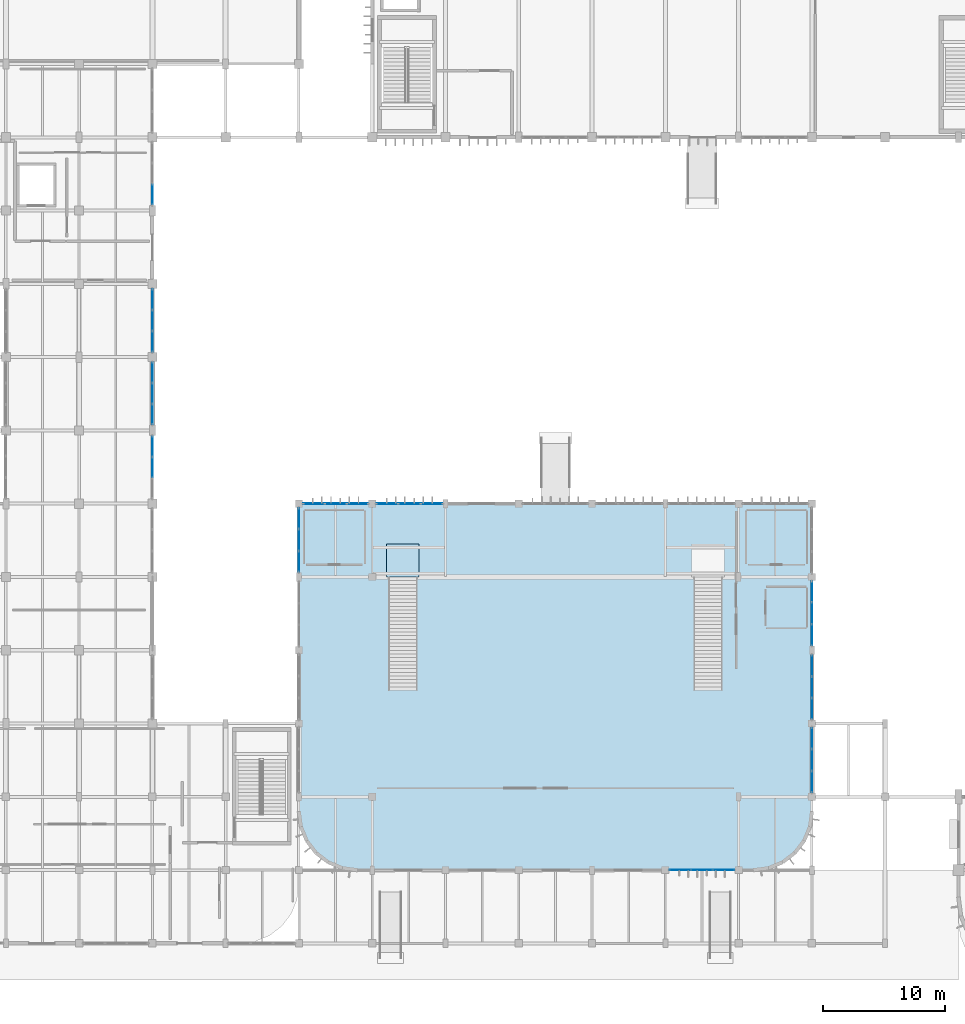
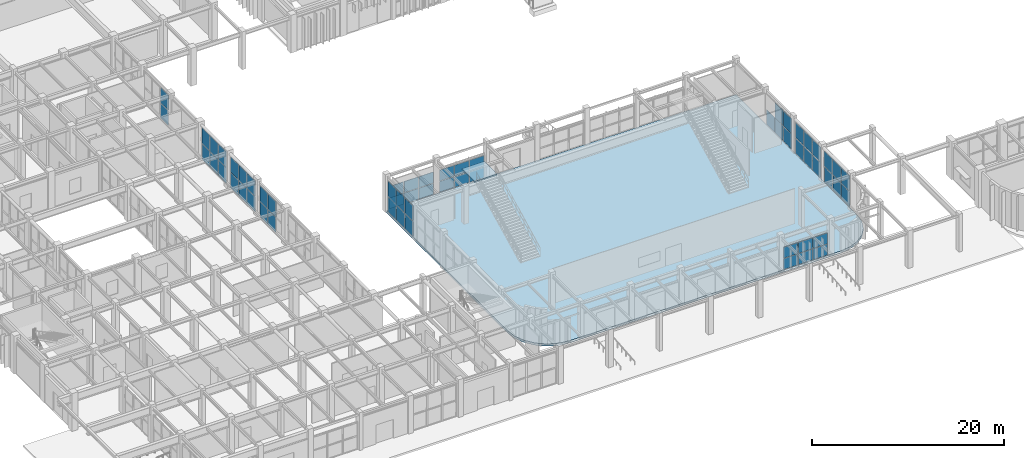
# One storey, part 35 of 76: 59 plates, 2 slabs, 12 elements without a shape of their own.
"""IFC4 building model written with IfcOpenShell, lengths in metres."""

import ifcopenshell
import ifcopenshell.guid

model = None  # the IFC model being written
_history = None  # IfcOwnerHistory: only IFC2X3 demands one
_inside = {}  # id of a spatial element -> (the spatial element, [elements in it])
_under = {}  # id of a project, library or spatial element -> (it, [spatial elements below it])
_declared = {}  # id of a project -> (the project, [libraries it declares])
_typed = {}  # id of a type object -> (the type object, [elements of that type])
_made_of = {}  # id of a material, layer set ... -> (it, [elements and type objects made of it])


def new_model(schema):
    """Start an empty IFC model of exactly this schema.

    Asked for "IFC4X3", IfcOpenShell would pick the latest addendum, in which some entities
    have other attributes; the version numbers below select the first issue.
    IFC2X3 requires an IfcOwnerHistory on every rooted entity: one is made here for all.
    """
    global model, _history
    if schema == "IFC4X3":
        model = ifcopenshell.file(schema_version=(4, 3, 0, 0))
    else:
        model = ifcopenshell.file(schema=schema)
    _inside.clear()
    _under.clear()
    _declared.clear()
    _typed.clear()
    _made_of.clear()
    _history = None
    if model.schema == "IFC2X3":
        org = make("IfcOrganization", Name="unknown")
        user = make(
            "IfcPersonAndOrganization",
            ThePerson=make("IfcPerson", FamilyName="unknown"),
            TheOrganization=org,
        )
        app = make(
            "IfcApplication",
            ApplicationDeveloper=org,
            Version="unknown",
            ApplicationFullName="unknown",
            ApplicationIdentifier="unknown",
        )
        _history = make(
            "IfcOwnerHistory",
            OwningUser=user,
            OwningApplication=app,
            ChangeAction="ADDED",
            CreationDate=0,
        )
    return model


def make(cls, **values):
    """One entity of the class cls with the attributes given. An attribute that is None is left unset."""
    return model.create_entity(
        cls, **{name: value for name, value in values.items() if value is not None}
    )


def rooted(cls, **values):
    """An entity with a GlobalId (a new one), such as an element, a storey or a relation."""
    return make(cls, GlobalId=ifcopenshell.guid.new(), OwnerHistory=_history, **values)


def si_unit(unit_type, name, prefix=None):
    """IfcSIUnit, for example si_unit("LENGTHUNIT", "METRE", prefix="MILLI")."""
    return make("IfcSIUnit", UnitType=unit_type, Prefix=prefix, Name=name)


def assignment(units):
    """IfcUnitAssignment: the units of a project."""
    return None if units is None else make("IfcUnitAssignment", Units=units)


def point(xyz):
    """IfcCartesianPoint."""
    return None if xyz is None else make("IfcCartesianPoint", Coordinates=xyz)


def direction(xyz):
    """IfcDirection."""
    return None if xyz is None else make("IfcDirection", DirectionRatios=xyz)


def frame(location, z_axis=None, x_axis=None):
    """IfcAxis2Placement3D, a coordinate frame: its origin and axes. An axis left out is left unset."""
    return make(
        "IfcAxis2Placement3D",
        Location=point(location),
        Axis=direction(z_axis),
        RefDirection=direction(x_axis),
    )


def frame_2d(location, x_axis=None):
    """IfcAxis2Placement2D, a coordinate frame in the plane: its origin and x axis."""
    return make(
        "IfcAxis2Placement2D", Location=point(location), RefDirection=direction(x_axis)
    )


def origin():
    """The frame at (0, 0, 0) with its axes left unset."""
    return frame((0.0, 0.0, 0.0))


def origin_2d():
    """The frame at (0, 0) in the plane with its x axis left unset."""
    return frame_2d((0.0, 0.0))


def place(relative_to, where):
    """IfcLocalPlacement: puts the frame where relative to a parent placement (None: the world)."""
    return make(
        "IfcLocalPlacement", PlacementRelTo=relative_to, RelativePlacement=where
    )


def context(
    kind, dimensions, precision=None, world=None, true_north=None, identifier=None
):
    """IfcGeometricRepresentationContext, for example the 3D "Model" context."""
    return make(
        "IfcGeometricRepresentationContext",
        ContextIdentifier=identifier,
        ContextType=kind,
        CoordinateSpaceDimension=dimensions,
        Precision=precision,
        WorldCoordinateSystem=world,
        TrueNorth=true_north,
    )


def subcontext(parent, identifier, kind, view, scale=None):
    """IfcGeometricRepresentationSubContext, for example "Body" below "Model"."""
    return make(
        "IfcGeometricRepresentationSubContext",
        ContextIdentifier=identifier,
        ContextType=kind,
        ParentContext=parent,
        TargetScale=scale,
        TargetView=view,
    )


def project(units=None, contexts=None):
    """IfcProject with its units and contexts."""
    return rooted(
        "IfcProject",
        Name="project",
        RepresentationContexts=contexts,
        UnitsInContext=assignment(units),
    )


def spatial(cls, under=None, at=None, **own):
    """A site, building, storey or space (cls), placed at a placement, below another one or the project."""
    s = rooted(cls, ObjectPlacement=at, **own)
    if under is not None:
        _under.setdefault(under.id(), (under, []))[1].append(s)
    return s


def polyline(points):
    """IfcPolyline through the points."""
    return make("IfcPolyline", Points=[point(p) for p in points])


def profile(cls, at=None, kind="AREA", **sizes):
    """A parametric profile (cls). Its sizes go by their IFC names, for example OverallWidth=200.0."""
    return make(cls, ProfileType=kind, Position=at, **sizes)


def rectangle(**sizes):
    """IfcRectangleProfileDef."""
    return profile("IfcRectangleProfileDef", **sizes)


def outline(outer, holes=None, kind="AREA"):
    """IfcArbitraryClosedProfileDef: a profile drawn as a closed curve; with holes, ...WithVoids."""
    if holes is None:
        return make("IfcArbitraryClosedProfileDef", ProfileType=kind, OuterCurve=outer)
    return make(
        "IfcArbitraryProfileDefWithVoids",
        ProfileType=kind,
        OuterCurve=outer,
        InnerCurves=holes,
    )


def extrude(swept, where, along, depth):
    """IfcExtrudedAreaSolid: the profile swept, set in the frame where, extruded along a direction by depth."""
    return make(
        "IfcExtrudedAreaSolid",
        SweptArea=swept,
        Position=where,
        ExtrudedDirection=direction(along),
        Depth=depth,
    )


def shape(context_of_items, identifier, shape_type, items):
    """IfcShapeRepresentation: the items that make up one representation, for example the "Body"."""
    return make(
        "IfcShapeRepresentation",
        ContextOfItems=context_of_items,
        RepresentationIdentifier=identifier,
        RepresentationType=shape_type,
        Items=items,
    )


def material(Name=None, Category=None):
    """IfcMaterial."""
    return make("IfcMaterial", Name=Name, Category=Category)


def layer(
    of_material, thickness, ventilated=None, Name=None, Category=None, Priority=None
):
    """IfcMaterialLayer: one layer of a wall or slab, of a material (None: an air gap)."""
    return make(
        "IfcMaterialLayer",
        Material=of_material,
        LayerThickness=thickness,
        IsVentilated=ventilated,
        Name=Name,
        Category=Category,
        Priority=Priority,
    )


def layer_set(layers, Name=None):
    """IfcMaterialLayerSet."""
    return make("IfcMaterialLayerSet", MaterialLayers=layers, LayerSetName=Name)


def made_of(thing, what):
    """Note that an element or type object is made of a material, layer set ...; save() writes the relation."""
    if what is not None:
        _made_of.setdefault(what.id(), (what, []))[1].append(thing)
    return thing


def type_object(cls, material=None, **own):
    """A type object (cls), such as IfcWallType, which elements share."""
    return made_of(rooted(cls, **own), material)


def element(
    cls,
    number,
    at=None,
    inside=None,
    cuts=None,
    type_object=None,
    material=None,
    context=None,
    identifier="Body",
    shape_type=None,
    held_by="IfcProductDefinitionShape",
    body=None,
    shapes=None,
    **own,
):
    """One element of the class cls, such as IfcWall. Its Tag is "e" and its number.

    at: its placement. inside: the storey or other place that contains it. cuts: it is an
    opening in that element (IfcRelVoidsElement). A single representation is given by context,
    identifier, shape_type and body (its items); several are given by shapes. held_by: the class
    of the entity that holds the representations. save() writes the other relations.
    """
    e = rooted(cls, Tag="e%d" % number, ObjectPlacement=at, **own)
    if body is not None:
        shapes = [shape(context, identifier, shape_type, body)]
    if shapes is not None:
        e.Representation = make(held_by, Representations=shapes)
    if inside is not None:
        _inside.setdefault(inside.id(), (inside, []))[1].append(e)
    if cuts is not None:
        rooted(
            "IfcRelVoidsElement", RelatingBuildingElement=cuts, RelatedOpeningElement=e
        )
    if type_object is not None:
        _typed.setdefault(type_object.id(), (type_object, []))[1].append(e)
    return made_of(e, material)


def aggregate(whole, parts):
    """IfcRelAggregates: a whole, such as a stair, and the parts it consists of."""
    return rooted("IfcRelAggregates", RelatingObject=whole, RelatedObjects=parts)


def save(model, path):
    """Write the relations noted so far, then the file.

    IfcRelAggregates (storeys below a building ...), IfcRelContainedInSpatialStructure (elements
    in a storey), IfcRelDefinesByType, IfcRelAssociatesMaterial and IfcRelDeclares: one each for
    every whole, place, type object, material and project.
    """
    for whole, parts in _under.values():
        aggregate(whole, parts)
    for where, things in _inside.values():
        rooted(
            "IfcRelContainedInSpatialStructure",
            RelatedElements=things,
            RelatingStructure=where,
        )
    for kind, things in _typed.values():
        rooted("IfcRelDefinesByType", RelatedObjects=things, RelatingType=kind)
    for what, things in _made_of.values():
        rooted("IfcRelAssociatesMaterial", RelatedObjects=things, RelatingMaterial=what)
    for by, libraries in _declared.values():
        rooted("IfcRelDeclares", RelatingContext=by, RelatedDefinitions=libraries)
    model.write(path)


model = new_model("IFC4")

# Units and contexts
model_context = context("Model", 3, precision=1e-05, world=origin(), true_north=direction((0.0, 1.0)))
body_context = subcontext(model_context, "Body", "Model", "MODEL_VIEW")
ifc_project = project(units=[si_unit("LENGTHUNIT", "METRE"), si_unit("AREAUNIT", "SQUARE_METRE"), si_unit("VOLUMEUNIT", "CUBIC_METRE"), si_unit("PLANEANGLEUNIT", "RADIAN"), si_unit("MASSUNIT", "GRAM", prefix="KILO")], contexts=[model_context])

# Site, building, storey
site_placement = place(None, origin())
site = spatial("IfcSite", under=ifc_project, at=site_placement, CompositionType="ELEMENT")
building_placement = place(site_placement, origin())
building = spatial("IfcBuilding", under=site, at=building_placement, Name="Varnakota Square Police Headquarters", CompositionType="ELEMENT")
storey_placement = place(building_placement, origin())
storey = spatial("IfcBuildingStorey", under=building, at=storey_placement, Name="L00", CompositionType="ELEMENT", Elevation=0.0)

# Curtain wall, plates
ifc_material_1 = material(Name="Anodised Aluminium Framing", Category="aluminium")
curtain_wall_type_1 = type_object("IfcCurtainWallType", Name="CW-SYS-A", PredefinedType="NOTDEFINED", material=ifc_material_1)
curtain_wall_1_placement = place(storey_placement, origin())
curtain_wall_1 = element("IfcCurtainWall", 1, at=curtain_wall_1_placement, inside=storey, type_object=curtain_wall_type_1, Name="Unitised curtain wall CWG-L00-003", PredefinedType="NOTDEFINED")
ifc_material_2 = material(Name="Solar-Control Laminated Double Glazing", Category="glass")
ifc_layer_1 = layer(ifc_material_2, 0.028076171875, Name="Solar-Control Laminated Double Glazing")
ifc_layer_set_1 = layer_set([ifc_layer_1], Name="Solar-Control Laminated Double Glazing")
plate_type_1 = type_object("IfcPlateType", Name="CWP-GLZ-28", PredefinedType="CURTAIN_PANEL", material=ifc_layer_set_1)
plate_1_placement = place(storey_placement, frame((61.236328125, 39.0, 0.06494140625), z_axis=(0.0, 0.0, 1.0), x_axis=(1.0, 0.0, 0.0)))
plate_1 = element("IfcPlate", 2, at=plate_1_placement, type_object=plate_type_1, Name="CWG-L00-003 panel 1.1", PredefinedType="CURTAIN_PANEL", context=body_context, shape_type="SweptSolid", body=[
    extrude(rectangle(XDim=1.732421875, YDim=0.028076171875, at=origin_2d()), origin(), (0.0, 0.0, 1.0), 1.37255859375),
])
plate_2_placement = place(storey_placement, frame((63.050048828125, 39.0, 0.06494140625), z_axis=(0.0, 0.0, 1.0), x_axis=(1.0, 0.0, 0.0)))
plate_2 = element("IfcPlate", 3, at=plate_2_placement, type_object=plate_type_1, Name="CWG-L00-003 panel 2.1", PredefinedType="CURTAIN_PANEL", context=body_context, shape_type="SweptSolid", body=[
    extrude(rectangle(XDim=1.764892578125, YDim=0.028076171875, at=origin_2d()), origin(), (0.0, 0.0, 1.0), 1.37255859375),
])
plate_3_placement = place(storey_placement, frame((64.86376953125, 39.0, 0.06494140625), z_axis=(0.0, 0.0, 1.0), x_axis=(1.0, 0.0, 0.0)))
plate_3 = element("IfcPlate", 4, at=plate_3_placement, type_object=plate_type_1, Name="CWG-L00-003 panel 3.1", PredefinedType="CURTAIN_PANEL", context=body_context, shape_type="SweptSolid", body=[
    extrude(rectangle(XDim=1.732421875, YDim=0.028076171875, at=origin_2d()), origin(), (0.0, 0.0, 1.0), 1.37255859375),
])

curtain_wall_2_placement = place(storey_placement, origin())
curtain_wall_2 = element("IfcCurtainWall", 5, at=curtain_wall_2_placement, inside=storey, type_object=curtain_wall_type_1, Name="Unitised curtain wall CWG-L00-011", PredefinedType="NOTDEFINED")
plate_4_placement = place(storey_placement, frame((96.0, 22.2138671875, 0.074951171875), z_axis=(0.0, 0.0, 1.0), x_axis=(0.0, 1.0, 0.0)))
plate_4 = element("IfcPlate", 6, at=plate_4_placement, type_object=plate_type_1, Name="CWG-L00-011 panel 1.1", PredefinedType="CURTAIN_PANEL", context=body_context, shape_type="SweptSolid", body=[
    extrude(rectangle(XDim=1.66748046875, YDim=0.028076171875, at=origin_2d()), origin(), (0.0, 0.0, 1.0), 1.92919921875),
])
plate_5_placement = place(storey_placement, frame((96.0, 23.97509765625, 0.074951171875), z_axis=(0.0, 0.0, 1.0), x_axis=(0.0, 1.0, 0.0)))
plate_5 = element("IfcPlate", 7, at=plate_5_placement, type_object=plate_type_1, Name="CWG-L00-011 panel 2.1", PredefinedType="CURTAIN_PANEL", context=body_context, shape_type="SweptSolid", body=[
    extrude(rectangle(XDim=1.705078125, YDim=0.028076171875, at=origin_2d()), origin(), (0.0, 0.0, 1.0), 1.92919921875),
])
plate_6_placement = place(storey_placement, frame((96.0, 25.736328125, 0.074951171875), z_axis=(0.0, 0.0, 1.0), x_axis=(0.0, 1.0, 0.0)))
plate_6 = element("IfcPlate", 8, at=plate_6_placement, type_object=plate_type_1, Name="CWG-L00-011 panel 3.1", PredefinedType="CURTAIN_PANEL", context=body_context, shape_type="SweptSolid", body=[
    extrude(rectangle(XDim=1.66748046875, YDim=0.028076171875, at=origin_2d()), origin(), (0.0, 0.0, 1.0), 1.92919921875),
])

curtain_wall_type_2 = type_object("IfcCurtainWallType", Name="CW-SYS-D", PredefinedType="NOTDEFINED", material=ifc_material_1)
curtain_wall_3_placement = place(storey_placement, origin())
curtain_wall_3 = element("IfcCurtainWall", 9, at=curtain_wall_3_placement, inside=storey, type_object=curtain_wall_type_2, Name="Unitised curtain wall CWG-L00-131", PredefinedType="NOTDEFINED")
plate_7_placement = place(storey_placement, frame((42.0, 52.27197265625, 0.074951171875), z_axis=(0.0, 0.0, 1.0), x_axis=(0.0, 1.0, 0.0)))
plate_7 = element("IfcPlate", 10, at=plate_7_placement, type_object=plate_type_1, Name="CWG-L00-131 panel 1.1", PredefinedType="CURTAIN_PANEL", context=body_context, shape_type="SweptSolid", body=[
    extrude(rectangle(XDim=1.63427734375, YDim=0.028076171875, at=origin_2d()), origin(), (0.0, 0.0, 1.0), 1.970703125),
])
plate_8_placement = place(storey_placement, frame((42.0, 54.0, 0.074951171875), z_axis=(0.0, 0.0, 1.0), x_axis=(0.0, 1.0, 0.0)))
plate_8 = element("IfcPlate", 11, at=plate_8_placement, type_object=plate_type_1, Name="CWG-L00-131 panel 2.1", PredefinedType="CURTAIN_PANEL", context=body_context, shape_type="SweptSolid", body=[
    extrude(rectangle(XDim=1.671630859375, YDim=0.028076171875, at=origin_2d()), origin(), (0.0, 0.0, 1.0), 1.970703125),
])
plate_9_placement = place(storey_placement, frame((42.0, 55.72802734375, 0.074951171875), z_axis=(0.0, 0.0, 1.0), x_axis=(0.0, 1.0, 0.0)))
plate_9 = element("IfcPlate", 12, at=plate_9_placement, type_object=plate_type_1, Name="CWG-L00-131 panel 3.1", PredefinedType="CURTAIN_PANEL", context=body_context, shape_type="SweptSolid", body=[
    extrude(rectangle(XDim=1.63427734375, YDim=0.028076171875, at=origin_2d()), origin(), (0.0, 0.0, 1.0), 1.970703125),
])

# Curtain wall, plate
curtain_wall_4_placement = place(storey_placement, origin())
curtain_wall_4 = element("IfcCurtainWall", 13, at=curtain_wall_4_placement, inside=storey, type_object=curtain_wall_type_2, Name="Unitised curtain wall CWG-L00-132", PredefinedType="NOTDEFINED")
ifc_material_3 = material(Name="Acoustic Laminated Double Glazing", Category="glass")
ifc_layer_2 = layer(ifc_material_3, 0.031982421875, Name="Acoustic Laminated Double Glazing")
ifc_layer_set_2 = layer_set([ifc_layer_2], Name="Acoustic Laminated Double Glazing")
plate_type_2 = type_object("IfcPlateType", Name="CWP-GLZ-32", PredefinedType="CURTAIN_PANEL", material=ifc_layer_set_2)
plate_10_placement = place(storey_placement, frame((42.0, 64.313720703125, 0.0751953125), z_axis=(0.0, 0.0, 1.0), x_axis=(0.0, 1.0, 0.0)))
plate_10 = element("IfcPlate", 14, at=plate_10_placement, type_object=plate_type_2, Name="CWG-L00-132 panel 1.1", PredefinedType="CURTAIN_PANEL", context=body_context, shape_type="SweptSolid", body=[
    extrude(rectangle(XDim=1.617431640625, YDim=0.031982421875, at=origin_2d()), origin(), (0.0, 0.0, 1.0), 1.907470703125),
])

# Curtain wall, plates
curtain_wall_5_placement = place(storey_placement, origin())
curtain_wall_5 = element("IfcCurtainWall", 15, at=curtain_wall_5_placement, inside=storey, type_object=curtain_wall_type_1, Name="Unitised curtain wall CWG-L00-001", PredefinedType="NOTDEFINED")
ifc_material_4 = material(Name="Blast-Resistant Laminated Glazing", Category="glass")
ifc_layer_3 = layer(ifc_material_4, 0.035888671875, Name="Blast-Resistant Laminated Glazing")
ifc_layer_set_3 = layer_set([ifc_layer_3], Name="Blast-Resistant Laminated Glazing")
plate_type_3 = type_object("IfcPlateType", Name="CWP-GLZ-36", PredefinedType="CURTAIN_PANEL", material=ifc_layer_set_3)
plate_11_placement = place(storey_placement, frame((85.219482421875, 9.0, 0.06494140625), z_axis=(0.0, 0.0, 1.0), x_axis=(1.0, 0.0, 0.0)))
plate_11 = element("IfcPlate", 16, at=plate_11_placement, type_object=plate_type_3, Name="CWG-L00-001 panel 1.1", PredefinedType="CURTAIN_PANEL", context=body_context, shape_type="SweptSolid", body=[
    extrude(rectangle(XDim=1.69921875, YDim=0.035888671875, at=origin_2d()), origin(), (0.0, 0.0, 1.0), 1.37255859375),
])
plate_12_placement = place(storey_placement, frame((87.0, 9.0, 0.06494140625), z_axis=(0.0, 0.0, 1.0), x_axis=(1.0, 0.0, 0.0)))
plate_12 = element("IfcPlate", 17, at=plate_12_placement, type_object=plate_type_3, Name="CWG-L00-001 panel 2.1", PredefinedType="CURTAIN_PANEL", context=body_context, shape_type="SweptSolid", body=[
    extrude(rectangle(XDim=1.731689453125, YDim=0.035888671875, at=origin_2d()), origin(), (0.0, 0.0, 1.0), 1.37255859375),
])
plate_13_placement = place(storey_placement, frame((88.780517578125, 9.0, 0.06494140625), z_axis=(0.0, 0.0, 1.0), x_axis=(1.0, 0.0, 0.0)))
plate_13 = element("IfcPlate", 18, at=plate_13_placement, type_object=plate_type_3, Name="CWG-L00-001 panel 3.1", PredefinedType="CURTAIN_PANEL", context=body_context, shape_type="SweptSolid", body=[
    extrude(rectangle(XDim=1.69921875, YDim=0.035888671875, at=origin_2d()), origin(), (0.0, 0.0, 1.0), 1.37255859375),
])

curtain_wall_6_placement = place(storey_placement, origin())
curtain_wall_6 = element("IfcCurtainWall", 19, at=curtain_wall_6_placement, inside=storey, type_object=curtain_wall_type_1, Name="Unitised curtain wall CWG-L00-009", PredefinedType="NOTDEFINED")
plate_14_placement = place(storey_placement, frame((96.0, 16.22216796875, 0.074951171875), z_axis=(0.0, 0.0, 1.0), x_axis=(0.0, 1.0, 0.0)))
plate_14 = element("IfcPlate", 20, at=plate_14_placement, type_object=plate_type_3, Name="CWG-L00-009 panel 1.1", PredefinedType="CURTAIN_PANEL", context=body_context, shape_type="SweptSolid", body=[
    extrude(rectangle(XDim=1.68408203125, YDim=0.035888671875, at=origin_2d()), origin(), (0.0, 0.0, 1.0), 1.92919921875),
])
plate_15_placement = place(storey_placement, frame((96.0, 18.0, 0.074951171875), z_axis=(0.0, 0.0, 1.0), x_axis=(0.0, 1.0, 0.0)))
plate_15 = element("IfcPlate", 21, at=plate_15_placement, type_object=plate_type_3, Name="CWG-L00-009 panel 2.1", PredefinedType="CURTAIN_PANEL", context=body_context, shape_type="SweptSolid", body=[
    extrude(rectangle(XDim=1.7216796875, YDim=0.035888671875, at=origin_2d()), origin(), (0.0, 0.0, 1.0), 1.92919921875),
])
plate_16_placement = place(storey_placement, frame((96.0, 19.77783203125, 0.074951171875), z_axis=(0.0, 0.0, 1.0), x_axis=(0.0, 1.0, 0.0)))
plate_16 = element("IfcPlate", 22, at=plate_16_placement, type_object=plate_type_3, Name="CWG-L00-009 panel 3.1", PredefinedType="CURTAIN_PANEL", context=body_context, shape_type="SweptSolid", body=[
    extrude(rectangle(XDim=1.68408203125, YDim=0.035888671875, at=origin_2d()), origin(), (0.0, 0.0, 1.0), 1.92919921875),
])

curtain_wall_7_placement = place(storey_placement, origin())
curtain_wall_7 = element("IfcCurtainWall", 23, at=curtain_wall_7_placement, inside=storey, type_object=curtain_wall_type_1, Name="Unitised curtain wall CWG-L00-013", PredefinedType="NOTDEFINED")
plate_17_placement = place(storey_placement, frame((96.0, 28.26123046875, 0.06494140625), z_axis=(0.0, 0.0, 1.0), x_axis=(0.0, 1.0, 0.0)))
plate_17 = element("IfcPlate", 24, at=plate_17_placement, type_object=plate_type_3, Name="CWG-L00-013 panel 1.1", PredefinedType="CURTAIN_PANEL", context=body_context, shape_type="SweptSolid", body=[
    extrude(rectangle(XDim=1.6826171875, YDim=0.035888671875, at=origin_2d()), origin(), (0.0, 0.0, 1.0), 1.8974609375),
])
plate_18_placement = place(storey_placement, frame((96.0, 30.02490234375, 0.06494140625), z_axis=(0.0, 0.0, 1.0), x_axis=(0.0, 1.0, 0.0)))
plate_18 = element("IfcPlate", 25, at=plate_18_placement, type_object=plate_type_3, Name="CWG-L00-013 panel 2.1", PredefinedType="CURTAIN_PANEL", context=body_context, shape_type="SweptSolid", body=[
    extrude(rectangle(XDim=1.715087890625, YDim=0.035888671875, at=origin_2d()), origin(), (0.0, 0.0, 1.0), 1.8974609375),
])
plate_19_placement = place(storey_placement, frame((96.0, 31.788818359375, 0.06494140625), z_axis=(0.0, 0.0, 1.0), x_axis=(0.0, 1.0, 0.0)))
plate_19 = element("IfcPlate", 26, at=plate_19_placement, type_object=plate_type_3, Name="CWG-L00-013 panel 3.1", PredefinedType="CURTAIN_PANEL", context=body_context, shape_type="SweptSolid", body=[
    extrude(rectangle(XDim=1.6826171875, YDim=0.035888671875, at=origin_2d()), origin(), (0.0, 0.0, 1.0), 1.8974609375),
])

curtain_wall_8_placement = place(storey_placement, origin())
curtain_wall_8 = element("IfcCurtainWall", 27, at=curtain_wall_8_placement, inside=storey, type_object=curtain_wall_type_2, Name="Unitised curtain wall CWG-L00-129", PredefinedType="NOTDEFINED")
plate_20_placement = place(storey_placement, frame((42.0, 41.97509765625, 0.074951171875), z_axis=(0.0, 0.0, 1.0), x_axis=(0.0, 1.0, 0.0)))
plate_20 = element("IfcPlate", 28, at=plate_20_placement, type_object=plate_type_3, Name="CWG-L00-129 panel 2.1", PredefinedType="CURTAIN_PANEL", context=body_context, shape_type="SweptSolid", body=[
    extrude(rectangle(XDim=1.655029296875, YDim=0.035888671875, at=origin_2d()), origin(), (0.0, 0.0, 1.0), 1.9326171875),
])
plate_21_placement = place(storey_placement, frame((42.0, 43.686279296875, 0.074951171875), z_axis=(0.0, 0.0, 1.0), x_axis=(0.0, 1.0, 0.0)))
plate_21 = element("IfcPlate", 29, at=plate_21_placement, type_object=plate_type_3, Name="CWG-L00-129 panel 3.1", PredefinedType="CURTAIN_PANEL", context=body_context, shape_type="SweptSolid", body=[
    extrude(rectangle(XDim=1.617431640625, YDim=0.035888671875, at=origin_2d()), origin(), (0.0, 0.0, 1.0), 1.9326171875),
])

curtain_wall_9_placement = place(storey_placement, origin())
curtain_wall_9 = element("IfcCurtainWall", 30, at=curtain_wall_9_placement, inside=storey, type_object=curtain_wall_type_1, Name="Unitised curtain wall CWG-L00-002", PredefinedType="NOTDEFINED")
ifc_material_5 = material(Name="Triple-Glazed Clean-Lab Vision Unit", Category="aluminium")
ifc_layer_4 = layer(ifc_material_5, 0.0419921875, Name="Triple-Glazed Clean-Lab Vision Unit")
ifc_layer_set_4 = layer_set([ifc_layer_4], Name="Triple-Glazed Clean-Lab Vision Unit")
plate_type_4 = type_object("IfcPlateType", Name="CWP-GLZ-42", PredefinedType="CURTAIN_PANEL", material=ifc_layer_set_4)
plate_22_placement = place(storey_placement, frame((55.219482421875, 39.0, 0.06494140625), z_axis=(0.0, 0.0, 1.0), x_axis=(1.0, 0.0, 0.0)))
plate_22 = element("IfcPlate", 31, at=plate_22_placement, type_object=plate_type_4, Name="CWG-L00-002 panel 1.1", PredefinedType="CURTAIN_PANEL", context=body_context, shape_type="SweptSolid", body=[
    extrude(rectangle(XDim=1.69921875, YDim=0.0419921875, at=origin_2d()), origin(), (0.0, 0.0, 1.0), 1.3974609375),
])
plate_23_placement = place(storey_placement, frame((57.0, 39.0, 0.06494140625), z_axis=(0.0, 0.0, 1.0), x_axis=(1.0, 0.0, 0.0)))
plate_23 = element("IfcPlate", 32, at=plate_23_placement, type_object=plate_type_4, Name="CWG-L00-002 panel 2.1", PredefinedType="CURTAIN_PANEL", context=body_context, shape_type="SweptSolid", body=[
    extrude(rectangle(XDim=1.731689453125, YDim=0.0419921875, at=origin_2d()), origin(), (0.0, 0.0, 1.0), 1.3974609375),
])
plate_24_placement = place(storey_placement, frame((58.780517578125, 39.0, 0.06494140625), z_axis=(0.0, 0.0, 1.0), x_axis=(1.0, 0.0, 0.0)))
plate_24 = element("IfcPlate", 33, at=plate_24_placement, type_object=plate_type_4, Name="CWG-L00-002 panel 3.1", PredefinedType="CURTAIN_PANEL", context=body_context, shape_type="SweptSolid", body=[
    extrude(rectangle(XDim=1.69921875, YDim=0.0419921875, at=origin_2d()), origin(), (0.0, 0.0, 1.0), 1.3974609375),
])

curtain_wall_10_placement = place(storey_placement, origin())
curtain_wall_10 = element("IfcCurtainWall", 34, at=curtain_wall_10_placement, inside=storey, type_object=curtain_wall_type_1, Name="Unitised curtain wall CWG-L00-014", PredefinedType="NOTDEFINED")
plate_25_placement = place(storey_placement, frame((54.0, 34.263671875, 0.0751953125), z_axis=(0.0, 0.0, 1.0), x_axis=(0.0, 1.0, 0.0)))
plate_25 = element("IfcPlate", 35, at=plate_25_placement, type_object=plate_type_4, Name="CWG-L00-014 panel 1.1", PredefinedType="CURTAIN_PANEL", context=body_context, shape_type="SweptSolid", body=[
    extrude(rectangle(XDim=1.66748046875, YDim=0.0419921875, at=origin_2d()), origin(), (0.0, 0.0, 1.0), 1.907470703125),
])
plate_26_placement = place(storey_placement, frame((54.0, 36.02490234375, 0.0751953125), z_axis=(0.0, 0.0, 1.0), x_axis=(0.0, 1.0, 0.0)))
plate_26 = element("IfcPlate", 36, at=plate_26_placement, type_object=plate_type_4, Name="CWG-L00-014 panel 2.1", PredefinedType="CURTAIN_PANEL", context=body_context, shape_type="SweptSolid", body=[
    extrude(rectangle(XDim=1.705078125, YDim=0.0419921875, at=origin_2d()), origin(), (0.0, 0.0, 1.0), 1.907470703125),
])
plate_27_placement = place(storey_placement, frame((54.0, 37.7861328125, 0.0751953125), z_axis=(0.0, 0.0, 1.0), x_axis=(0.0, 1.0, 0.0)))
plate_27 = element("IfcPlate", 37, at=plate_27_placement, type_object=plate_type_4, Name="CWG-L00-014 panel 3.1", PredefinedType="CURTAIN_PANEL", context=body_context, shape_type="SweptSolid", body=[
    extrude(rectangle(XDim=1.66748046875, YDim=0.0419921875, at=origin_2d()), origin(), (0.0, 0.0, 1.0), 1.907470703125),
])

curtain_wall_11_placement = place(storey_placement, origin())
curtain_wall_11 = element("IfcCurtainWall", 38, at=curtain_wall_11_placement, inside=storey, type_object=curtain_wall_type_2, Name="Unitised curtain wall CWG-L00-130", PredefinedType="NOTDEFINED")
plate_28_placement = place(storey_placement, frame((42.0, 46.313720703125, 0.074951171875), z_axis=(0.0, 0.0, 1.0), x_axis=(0.0, 1.0, 0.0)))
plate_28 = element("IfcPlate", 39, at=plate_28_placement, type_object=plate_type_4, Name="CWG-L00-130 panel 1.1", PredefinedType="CURTAIN_PANEL", context=body_context, shape_type="SweptSolid", body=[
    extrude(rectangle(XDim=1.617431640625, YDim=0.0419921875, at=origin_2d()), origin(), (0.0, 0.0, 1.0), 1.92919921875),
])
plate_29_placement = place(storey_placement, frame((42.0, 48.02490234375, 0.074951171875), z_axis=(0.0, 0.0, 1.0), x_axis=(0.0, 1.0, 0.0)))
plate_29 = element("IfcPlate", 40, at=plate_29_placement, type_object=plate_type_4, Name="CWG-L00-130 panel 2.1", PredefinedType="CURTAIN_PANEL", context=body_context, shape_type="SweptSolid", body=[
    extrude(rectangle(XDim=1.655029296875, YDim=0.0419921875, at=origin_2d()), origin(), (0.0, 0.0, 1.0), 1.92919921875),
])
plate_30_placement = place(storey_placement, frame((42.0, 49.736328125, 0.074951171875), z_axis=(0.0, 0.0, 1.0), x_axis=(0.0, 1.0, 0.0)))
plate_30 = element("IfcPlate", 41, at=plate_30_placement, type_object=plate_type_4, Name="CWG-L00-130 panel 3.1", PredefinedType="CURTAIN_PANEL", context=body_context, shape_type="SweptSolid", body=[
    extrude(rectangle(XDim=1.617431640625, YDim=0.0419921875, at=origin_2d()), origin(), (0.0, 0.0, 1.0), 1.92919921875),
])

# Plate
ifc_material_6 = material(Name="Insulated Anodised Aluminium Spandrel Panel", Category="aluminium")
ifc_layer_5 = layer(ifc_material_6, 0.050048828125, Name="Insulated Anodised Aluminium Spandrel Panel")
ifc_layer_set_5 = layer_set([ifc_layer_5], Name="Insulated Anodised Aluminium Spandrel Panel")
plate_type_5 = type_object("IfcPlateType", Name="CWP-SPN-50", PredefinedType="CURTAIN_PANEL", material=ifc_layer_set_5)
plate_31_placement = place(storey_placement, frame((85.219482421875, 9.0, 1.50244140625), z_axis=(0.0, 0.0, 1.0), x_axis=(1.0, 0.0, 0.0)))
plate_31 = element("IfcPlate", 42, at=plate_31_placement, type_object=plate_type_5, Name="CWG-L00-001 panel 1.2", PredefinedType="CURTAIN_PANEL", context=body_context, shape_type="SweptSolid", body=[
    extrude(rectangle(XDim=1.69921875, YDim=0.050048828125, at=origin_2d()), origin(), (0.0, 0.0, 1.0), 1.37255859375),
])

plate_32_placement = place(storey_placement, frame((87.0, 9.0, 1.50244140625), z_axis=(0.0, 0.0, 1.0), x_axis=(1.0, 0.0, 0.0)))
plate_32 = element("IfcPlate", 43, at=plate_32_placement, type_object=plate_type_5, Name="CWG-L00-001 panel 2.2", PredefinedType="CURTAIN_PANEL", context=body_context, shape_type="SweptSolid", body=[
    extrude(rectangle(XDim=1.731689453125, YDim=0.050048828125, at=origin_2d()), origin(), (0.0, 0.0, 1.0), 1.37255859375),
])

plate_33_placement = place(storey_placement, frame((88.780517578125, 9.0, 1.50244140625), z_axis=(0.0, 0.0, 1.0), x_axis=(1.0, 0.0, 0.0)))
plate_33 = element("IfcPlate", 44, at=plate_33_placement, type_object=plate_type_5, Name="CWG-L00-001 panel 3.2", PredefinedType="CURTAIN_PANEL", context=body_context, shape_type="SweptSolid", body=[
    extrude(rectangle(XDim=1.69921875, YDim=0.050048828125, at=origin_2d()), origin(), (0.0, 0.0, 1.0), 1.37255859375),
])

aggregate(curtain_wall_5, [plate_11, plate_31, plate_12, plate_32, plate_13, plate_33])

plate_34_placement = place(storey_placement, frame((61.236328125, 39.0, 1.50244140625), z_axis=(0.0, 0.0, 1.0), x_axis=(1.0, 0.0, 0.0)))
plate_34 = element("IfcPlate", 45, at=plate_34_placement, type_object=plate_type_5, Name="CWG-L00-003 panel 1.2", PredefinedType="CURTAIN_PANEL", context=body_context, shape_type="SweptSolid", body=[
    extrude(rectangle(XDim=1.732421875, YDim=0.050048828125, at=origin_2d()), origin(), (0.0, 0.0, 1.0), 1.37255859375),
])

plate_35_placement = place(storey_placement, frame((63.050048828125, 39.0, 1.50244140625), z_axis=(0.0, 0.0, 1.0), x_axis=(1.0, 0.0, 0.0)))
plate_35 = element("IfcPlate", 46, at=plate_35_placement, type_object=plate_type_5, Name="CWG-L00-003 panel 2.2", PredefinedType="CURTAIN_PANEL", context=body_context, shape_type="SweptSolid", body=[
    extrude(rectangle(XDim=1.764892578125, YDim=0.050048828125, at=origin_2d()), origin(), (0.0, 0.0, 1.0), 1.37255859375),
])

plate_36_placement = place(storey_placement, frame((64.86376953125, 39.0, 1.50244140625), z_axis=(0.0, 0.0, 1.0), x_axis=(1.0, 0.0, 0.0)))
plate_36 = element("IfcPlate", 47, at=plate_36_placement, type_object=plate_type_5, Name="CWG-L00-003 panel 3.2", PredefinedType="CURTAIN_PANEL", context=body_context, shape_type="SweptSolid", body=[
    extrude(rectangle(XDim=1.732421875, YDim=0.050048828125, at=origin_2d()), origin(), (0.0, 0.0, 1.0), 1.37255859375),
])

aggregate(curtain_wall_1, [plate_1, plate_34, plate_2, plate_35, plate_3, plate_36])

plate_37_placement = place(storey_placement, frame((96.0, 16.22216796875, 2.079345703125), z_axis=(0.0, 0.0, 1.0), x_axis=(0.0, 1.0, 0.0)))
plate_37 = element("IfcPlate", 48, at=plate_37_placement, type_object=plate_type_5, Name="CWG-L00-009 panel 1.2", PredefinedType="CURTAIN_PANEL", context=body_context, shape_type="SweptSolid", body=[
    extrude(rectangle(XDim=1.68408203125, YDim=0.050048828125, at=origin_2d()), origin(), (0.0, 0.0, 1.0), 1.92919921875),
])

plate_38_placement = place(storey_placement, frame((96.0, 18.0, 2.079345703125), z_axis=(0.0, 0.0, 1.0), x_axis=(0.0, 1.0, 0.0)))
plate_38 = element("IfcPlate", 49, at=plate_38_placement, type_object=plate_type_5, Name="CWG-L00-009 panel 2.2", PredefinedType="CURTAIN_PANEL", context=body_context, shape_type="SweptSolid", body=[
    extrude(rectangle(XDim=1.7216796875, YDim=0.050048828125, at=origin_2d()), origin(), (0.0, 0.0, 1.0), 1.92919921875),
])

plate_39_placement = place(storey_placement, frame((96.0, 19.77783203125, 2.079345703125), z_axis=(0.0, 0.0, 1.0), x_axis=(0.0, 1.0, 0.0)))
plate_39 = element("IfcPlate", 50, at=plate_39_placement, type_object=plate_type_5, Name="CWG-L00-009 panel 3.2", PredefinedType="CURTAIN_PANEL", context=body_context, shape_type="SweptSolid", body=[
    extrude(rectangle(XDim=1.68408203125, YDim=0.050048828125, at=origin_2d()), origin(), (0.0, 0.0, 1.0), 1.92919921875),
])

aggregate(curtain_wall_6, [plate_14, plate_37, plate_15, plate_38, plate_16, plate_39])

plate_40_placement = place(storey_placement, frame((96.0, 22.2138671875, 2.079345703125), z_axis=(0.0, 0.0, 1.0), x_axis=(0.0, 1.0, 0.0)))
plate_40 = element("IfcPlate", 51, at=plate_40_placement, type_object=plate_type_5, Name="CWG-L00-011 panel 1.2", PredefinedType="CURTAIN_PANEL", context=body_context, shape_type="SweptSolid", body=[
    extrude(rectangle(XDim=1.66748046875, YDim=0.050048828125, at=origin_2d()), origin(), (0.0, 0.0, 1.0), 1.92919921875),
])

plate_41_placement = place(storey_placement, frame((96.0, 23.97509765625, 2.079345703125), z_axis=(0.0, 0.0, 1.0), x_axis=(0.0, 1.0, 0.0)))
plate_41 = element("IfcPlate", 52, at=plate_41_placement, type_object=plate_type_5, Name="CWG-L00-011 panel 2.2", PredefinedType="CURTAIN_PANEL", context=body_context, shape_type="SweptSolid", body=[
    extrude(rectangle(XDim=1.705078125, YDim=0.050048828125, at=origin_2d()), origin(), (0.0, 0.0, 1.0), 1.92919921875),
])

plate_42_placement = place(storey_placement, frame((96.0, 25.736328125, 2.079345703125), z_axis=(0.0, 0.0, 1.0), x_axis=(0.0, 1.0, 0.0)))
plate_42 = element("IfcPlate", 53, at=plate_42_placement, type_object=plate_type_5, Name="CWG-L00-011 panel 3.2", PredefinedType="CURTAIN_PANEL", context=body_context, shape_type="SweptSolid", body=[
    extrude(rectangle(XDim=1.66748046875, YDim=0.050048828125, at=origin_2d()), origin(), (0.0, 0.0, 1.0), 1.92919921875),
])

aggregate(curtain_wall_2, [plate_4, plate_40, plate_5, plate_41, plate_6, plate_42])

plate_43_placement = place(storey_placement, frame((96.0, 28.26123046875, 2.027587890625), z_axis=(0.0, 0.0, 1.0), x_axis=(0.0, 1.0, 0.0)))
plate_43 = element("IfcPlate", 54, at=plate_43_placement, type_object=plate_type_5, Name="CWG-L00-013 panel 1.2", PredefinedType="CURTAIN_PANEL", context=body_context, shape_type="SweptSolid", body=[
    extrude(rectangle(XDim=1.6826171875, YDim=0.050048828125, at=origin_2d()), origin(), (0.0, 0.0, 1.0), 1.8974609375),
])

plate_44_placement = place(storey_placement, frame((96.0, 30.02490234375, 2.027587890625), z_axis=(0.0, 0.0, 1.0), x_axis=(0.0, 1.0, 0.0)))
plate_44 = element("IfcPlate", 55, at=plate_44_placement, type_object=plate_type_5, Name="CWG-L00-013 panel 2.2", PredefinedType="CURTAIN_PANEL", context=body_context, shape_type="SweptSolid", body=[
    extrude(rectangle(XDim=1.715087890625, YDim=0.050048828125, at=origin_2d()), origin(), (0.0, 0.0, 1.0), 1.8974609375),
])

aggregate(curtain_wall_7, [plate_17, plate_43, plate_18, plate_44, plate_19])

plate_45_placement = place(storey_placement, frame((42.0, 41.97509765625, 2.08251953125), z_axis=(0.0, 0.0, 1.0), x_axis=(0.0, 1.0, 0.0)))
plate_45 = element("IfcPlate", 56, at=plate_45_placement, type_object=plate_type_5, Name="CWG-L00-129 panel 2.2", PredefinedType="CURTAIN_PANEL", context=body_context, shape_type="SweptSolid", body=[
    extrude(rectangle(XDim=1.655029296875, YDim=0.050048828125, at=origin_2d()), origin(), (0.0, 0.0, 1.0), 1.9326171875),
])

plate_46_placement = place(storey_placement, frame((42.0, 43.686279296875, 2.08251953125), z_axis=(0.0, 0.0, 1.0), x_axis=(0.0, 1.0, 0.0)))
plate_46 = element("IfcPlate", 57, at=plate_46_placement, type_object=plate_type_5, Name="CWG-L00-129 panel 3.2", PredefinedType="CURTAIN_PANEL", context=body_context, shape_type="SweptSolid", body=[
    extrude(rectangle(XDim=1.617431640625, YDim=0.050048828125, at=origin_2d()), origin(), (0.0, 0.0, 1.0), 1.9326171875),
])

aggregate(curtain_wall_8, [plate_20, plate_45, plate_21, plate_46])

plate_47_placement = place(storey_placement, frame((42.0, 52.27197265625, 2.12060546875), z_axis=(0.0, 0.0, 1.0), x_axis=(0.0, 1.0, 0.0)))
plate_47 = element("IfcPlate", 58, at=plate_47_placement, type_object=plate_type_5, Name="CWG-L00-131 panel 1.2", PredefinedType="CURTAIN_PANEL", context=body_context, shape_type="SweptSolid", body=[
    extrude(rectangle(XDim=1.63427734375, YDim=0.050048828125, at=origin_2d()), origin(), (0.0, 0.0, 1.0), 1.970458984375),
])

plate_48_placement = place(storey_placement, frame((42.0, 54.0, 2.12060546875), z_axis=(0.0, 0.0, 1.0), x_axis=(0.0, 1.0, 0.0)))
plate_48 = element("IfcPlate", 59, at=plate_48_placement, type_object=plate_type_5, Name="CWG-L00-131 panel 2.2", PredefinedType="CURTAIN_PANEL", context=body_context, shape_type="SweptSolid", body=[
    extrude(rectangle(XDim=1.671630859375, YDim=0.050048828125, at=origin_2d()), origin(), (0.0, 0.0, 1.0), 1.970458984375),
])

plate_49_placement = place(storey_placement, frame((42.0, 55.72802734375, 2.12060546875), z_axis=(0.0, 0.0, 1.0), x_axis=(0.0, 1.0, 0.0)))
plate_49 = element("IfcPlate", 60, at=plate_49_placement, type_object=plate_type_5, Name="CWG-L00-131 panel 3.2", PredefinedType="CURTAIN_PANEL", context=body_context, shape_type="SweptSolid", body=[
    extrude(rectangle(XDim=1.63427734375, YDim=0.050048828125, at=origin_2d()), origin(), (0.0, 0.0, 1.0), 1.970458984375),
])

aggregate(curtain_wall_3, [plate_7, plate_47, plate_8, plate_48, plate_9, plate_49])

ifc_material_7 = material(Name="Fire-Stopped Mineral-Wool Spandrel Panel", Category="aluminium")
ifc_layer_6 = layer(ifc_material_7, 0.06005859375, Name="Fire-Stopped Mineral-Wool Spandrel Panel")
ifc_layer_set_6 = layer_set([ifc_layer_6], Name="Fire-Stopped Mineral-Wool Spandrel Panel")
plate_type_6 = type_object("IfcPlateType", Name="CWP-SPN-60", PredefinedType="CURTAIN_PANEL", material=ifc_layer_set_6)
plate_50_placement = place(storey_placement, frame((55.219482421875, 39.0, 1.527587890625), z_axis=(0.0, 0.0, 1.0), x_axis=(1.0, 0.0, 0.0)))
plate_50 = element("IfcPlate", 61, at=plate_50_placement, type_object=plate_type_6, Name="CWG-L00-002 panel 1.2", PredefinedType="CURTAIN_PANEL", context=body_context, shape_type="SweptSolid", body=[
    extrude(rectangle(XDim=1.69921875, YDim=0.06005859375, at=origin_2d()), origin(), (0.0, 0.0, 1.0), 1.3974609375),
])

plate_51_placement = place(storey_placement, frame((57.0, 39.0, 1.527587890625), z_axis=(0.0, 0.0, 1.0), x_axis=(1.0, 0.0, 0.0)))
plate_51 = element("IfcPlate", 62, at=plate_51_placement, type_object=plate_type_6, Name="CWG-L00-002 panel 2.2", PredefinedType="CURTAIN_PANEL", context=body_context, shape_type="SweptSolid", body=[
    extrude(rectangle(XDim=1.731689453125, YDim=0.06005859375, at=origin_2d()), origin(), (0.0, 0.0, 1.0), 1.3974609375),
])

plate_52_placement = place(storey_placement, frame((58.780517578125, 39.0, 1.527587890625), z_axis=(0.0, 0.0, 1.0), x_axis=(1.0, 0.0, 0.0)))
plate_52 = element("IfcPlate", 63, at=plate_52_placement, type_object=plate_type_6, Name="CWG-L00-002 panel 3.2", PredefinedType="CURTAIN_PANEL", context=body_context, shape_type="SweptSolid", body=[
    extrude(rectangle(XDim=1.69921875, YDim=0.06005859375, at=origin_2d()), origin(), (0.0, 0.0, 1.0), 1.3974609375),
])

aggregate(curtain_wall_9, [plate_22, plate_50, plate_23, plate_51, plate_24, plate_52])

plate_53_placement = place(storey_placement, frame((54.0, 34.263671875, 2.0576171875), z_axis=(0.0, 0.0, 1.0), x_axis=(0.0, 1.0, 0.0)))
plate_53 = element("IfcPlate", 64, at=plate_53_placement, type_object=plate_type_6, Name="CWG-L00-014 panel 1.2", PredefinedType="CURTAIN_PANEL", context=body_context, shape_type="SweptSolid", body=[
    extrude(rectangle(XDim=1.66748046875, YDim=0.06005859375, at=origin_2d()), origin(), (0.0, 0.0, 1.0), 1.907470703125),
])

plate_54_placement = place(storey_placement, frame((54.0, 36.02490234375, 2.0576171875), z_axis=(0.0, 0.0, 1.0), x_axis=(0.0, 1.0, 0.0)))
plate_54 = element("IfcPlate", 65, at=plate_54_placement, type_object=plate_type_6, Name="CWG-L00-014 panel 2.2", PredefinedType="CURTAIN_PANEL", context=body_context, shape_type="SweptSolid", body=[
    extrude(rectangle(XDim=1.705078125, YDim=0.06005859375, at=origin_2d()), origin(), (0.0, 0.0, 1.0), 1.907470703125),
])

plate_55_placement = place(storey_placement, frame((54.0, 37.7861328125, 2.0576171875), z_axis=(0.0, 0.0, 1.0), x_axis=(0.0, 1.0, 0.0)))
plate_55 = element("IfcPlate", 66, at=plate_55_placement, type_object=plate_type_6, Name="CWG-L00-014 panel 3.2", PredefinedType="CURTAIN_PANEL", context=body_context, shape_type="SweptSolid", body=[
    extrude(rectangle(XDim=1.66748046875, YDim=0.06005859375, at=origin_2d()), origin(), (0.0, 0.0, 1.0), 1.907470703125),
])

aggregate(curtain_wall_10, [plate_25, plate_53, plate_26, plate_54, plate_27, plate_55])

plate_56_placement = place(storey_placement, frame((42.0, 46.313720703125, 2.079345703125), z_axis=(0.0, 0.0, 1.0), x_axis=(0.0, 1.0, 0.0)))
plate_56 = element("IfcPlate", 67, at=plate_56_placement, type_object=plate_type_6, Name="CWG-L00-130 panel 1.2", PredefinedType="CURTAIN_PANEL", context=body_context, shape_type="SweptSolid", body=[
    extrude(rectangle(XDim=1.617431640625, YDim=0.06005859375, at=origin_2d()), origin(), (0.0, 0.0, 1.0), 1.92919921875),
])

plate_57_placement = place(storey_placement, frame((42.0, 48.02490234375, 2.079345703125), z_axis=(0.0, 0.0, 1.0), x_axis=(0.0, 1.0, 0.0)))
plate_57 = element("IfcPlate", 68, at=plate_57_placement, type_object=plate_type_6, Name="CWG-L00-130 panel 2.2", PredefinedType="CURTAIN_PANEL", context=body_context, shape_type="SweptSolid", body=[
    extrude(rectangle(XDim=1.655029296875, YDim=0.06005859375, at=origin_2d()), origin(), (0.0, 0.0, 1.0), 1.92919921875),
])

plate_58_placement = place(storey_placement, frame((42.0, 49.736328125, 2.079345703125), z_axis=(0.0, 0.0, 1.0), x_axis=(0.0, 1.0, 0.0)))
plate_58 = element("IfcPlate", 69, at=plate_58_placement, type_object=plate_type_6, Name="CWG-L00-130 panel 3.2", PredefinedType="CURTAIN_PANEL", context=body_context, shape_type="SweptSolid", body=[
    extrude(rectangle(XDim=1.617431640625, YDim=0.06005859375, at=origin_2d()), origin(), (0.0, 0.0, 1.0), 1.92919921875),
])

aggregate(curtain_wall_11, [plate_28, plate_56, plate_29, plate_57, plate_30, plate_58])

plate_59_placement = place(storey_placement, frame((42.0, 64.313720703125, 2.0576171875), z_axis=(0.0, 0.0, 1.0), x_axis=(0.0, 1.0, 0.0)))
plate_59 = element("IfcPlate", 70, at=plate_59_placement, type_object=plate_type_6, Name="CWG-L00-132 panel 1.2", PredefinedType="CURTAIN_PANEL", context=body_context, shape_type="SweptSolid", body=[
    extrude(rectangle(XDim=1.617431640625, YDim=0.06005859375, at=origin_2d()), origin(), (0.0, 0.0, 1.0), 1.907470703125),
])

aggregate(curtain_wall_4, [plate_10, plate_59])

# Slab
ifc_material_8 = material(Name="Concrete M40", Category="concrete")
ifc_layer_7 = layer(ifc_material_8, 0.280029296875, Name="Concrete M40")
ifc_layer_set_7 = layer_set([ifc_layer_7], Name="Concrete M40")
slab_type_1 = type_object("IfcSlabType", Name="SL-POD-280", PredefinedType="FLOOR", material=ifc_layer_set_7)
slab_1_placement = place(storey_placement, frame((0.0, 0.0, -0.280029296875)))
element("IfcSlab", 71, at=slab_1_placement, inside=storey, type_object=slab_type_1, Name="L00 Civic Entrance Hall Slab", PredefinedType="FLOOR", context=body_context, shape_type="SweptSolid", body=[
    extrude(outline(polyline([(54.0, 13.800048828125), (54.16357421875, 12.5576171875), (54.64306640625, 11.39990234375), (55.406005859375, 10.406005859375), (56.39990234375, 9.64306640625), (57.5576171875, 9.16357421875), (58.800048828125, 9.0), (91.199951171875, 9.0), (92.4423828125, 9.16357421875), (93.60009765625, 9.64306640625), (94.593994140625, 10.406005859375), (95.35693359375, 11.39990234375), (95.83642578125, 12.5576171875), (96.0, 13.800048828125), (96.0, 39.0), (54.0, 39.0), (54.0, 13.800048828125)])), origin(), (0.0, 0.0, 1.0), 0.280029296875),
])

# Stair, slab
ifc_material_9 = material(Name="Precast concrete M40", Category="concrete")
stair_type = type_object("IfcStairType", Name="STR-FEAT-2400", PredefinedType="STRAIGHT_RUN_STAIR", material=ifc_material_9)
stair_placement = place(storey_placement, origin())
stair = element("IfcStair", 72, at=stair_placement, inside=storey, type_object=stair_type, Name="Civic feature straight-run stair ST-CIV1", PredefinedType="STRAIGHT_RUN_STAIR")
ifc_layer_8 = layer(ifc_material_9, 0.174072265625, Name="Precast concrete M40")
ifc_layer_set_8 = layer_set([ifc_layer_8], Name="Precast concrete M40")
slab_type_2 = type_object("IfcSlabType", Name="SLB-FLND-2400", PredefinedType="LANDING", material=ifc_layer_set_8)
slab_2_placement = place(storey_placement, frame((0.0, 0.0, 4.6259765625)))
slab_2 = element("IfcSlab", 73, at=slab_2_placement, type_object=slab_type_2, Name="ST-CIV1 landing 1", PredefinedType="LANDING", context=body_context, shape_type="SweptSolid", body=[
    extrude(outline(polyline([(61.14990234375, 33.0), (63.85009765625, 33.0), (63.85009765625, 35.699951171875), (61.14990234375, 35.699951171875), (61.14990234375, 33.0)])), origin(), (0.0, 0.0, 1.0), 0.174072265625),
])
aggregate(stair, [slab_2])

save(model, "model.ifc")
